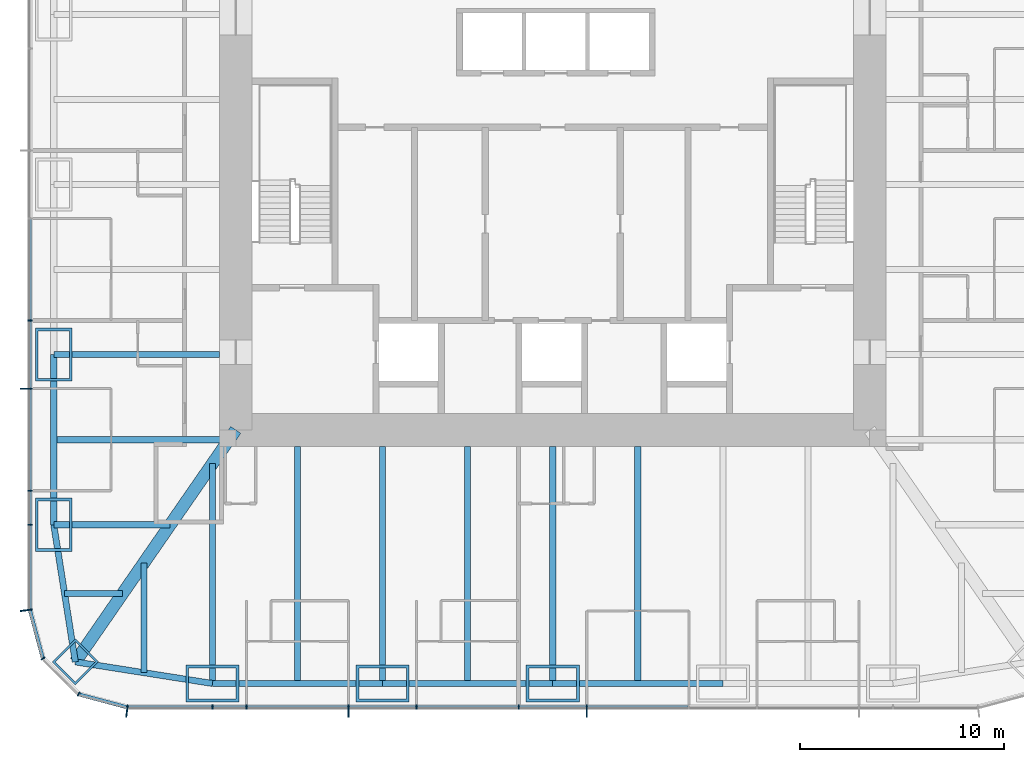
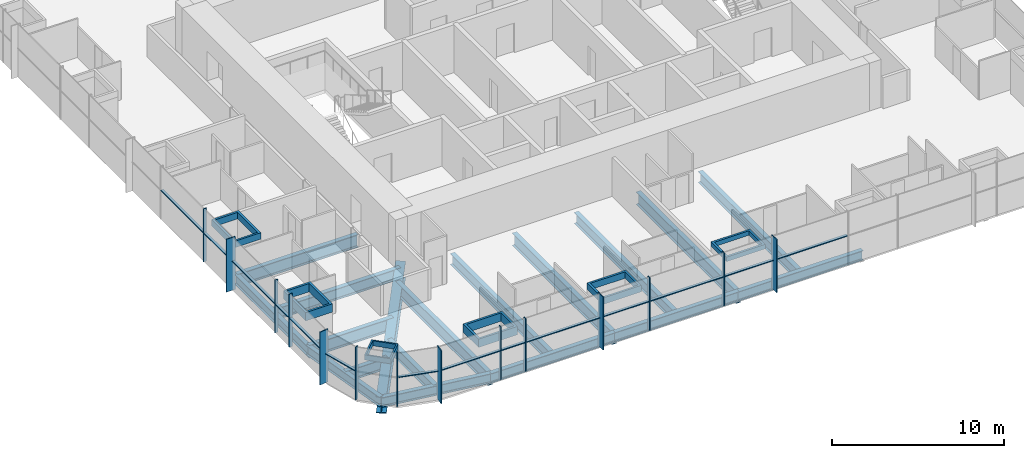
# One storey, part 2 of 13: 34 members, 18 beams, 3 elements without a shape of their own.
"""IFC4 building model written with IfcOpenShell, lengths in metres."""

from ifc_helpers import new_model, si_unit, direction, frame, origin, origin_2d, place, context, subcontext, project, spatial, rectangle, hollow_rectangle, i_section, extrude, material, material_profile, profile_set, type_object, element, aggregate, save


model = new_model("IFC4")

# Units and contexts
model_context = context("Model", 3, precision=1e-05, world=origin(), true_north=direction((0.0, 1.0)))
body_context = subcontext(model_context, "Body", "Model", "MODEL_VIEW")
ifc_project = project(units=[si_unit("LENGTHUNIT", "METRE"), si_unit("AREAUNIT", "SQUARE_METRE"), si_unit("VOLUMEUNIT", "CUBIC_METRE"), si_unit("PLANEANGLEUNIT", "RADIAN"), si_unit("MASSUNIT", "GRAM", prefix="KILO")], contexts=[model_context])

# Site, building, storey
site_placement = place(None, origin())
site = spatial("IfcSite", under=ifc_project, at=site_placement, CompositionType="ELEMENT")
building_placement = place(site_placement, origin())
building = spatial("IfcBuilding", under=site, at=building_placement, Name="Khuree Lantern Residences", CompositionType="ELEMENT")
storey_placement = place(building_placement, frame((0.0, 0.0, 274.5)))
storey = spatial("IfcBuildingStorey", under=building, at=storey_placement, Name="L69", CompositionType="ELEMENT", Elevation=274.5)

# Beams
ifc_material_1 = material(Name="Steel S355", Category="steel")
ifc_material_profile_1 = material_profile(ifc_material_1, i_section(OverallWidth=0.300048828125, OverallDepth=0.7900390625, WebThickness=0.014892578125, FlangeThickness=0.028076171875, FilletRadius=0.030029296875, at=origin_2d()), Name="HE 800 A")
ifc_profile_set_1 = profile_set([ifc_material_profile_1], Name="Steel S355")
beam_type_1 = type_object("IfcBeamType", Name="B-35A SECONDARY BEAM HE 800 A", PredefinedType="BEAM", material=ifc_profile_set_1)
for number, where, z_axis, x_axis, name in (
    (1, (4.159912109375, -24.39990234375, -0.64501953125), (0.0, 1.0, 0.0), (-1.0, 0.0, 0.0), "Secondary beam S3"),
    (2, (-4.159912109375, -24.39990234375, -0.64501953125), (0.0, 1.0, 0.0), (-1.0, 0.0, 0.0), "Secondary beam S4"),
    (3, (-12.47998046875, -24.39990234375, -0.64501953125), (0.0, 1.0, 0.0), (-1.0, 0.0, 0.0), "Secondary beam S5"),
):
    element("IfcBeam", number, at=place(storey_placement, frame(where, z_axis=z_axis, x_axis=x_axis)), inside=storey, type_object=beam_type_1, Name=name, PredefinedType="BEAM", context=body_context, shape_type="SweptSolid", body=[
        extrude(i_section(OverallWidth=0.300048828125, OverallDepth=0.7900390625, WebThickness=0.014892578125, FlangeThickness=0.028076171875, FilletRadius=0.030029296875, at=origin_2d()), origin(), (0.0, 0.0, 1.0), 11.599853515625),
    ])
beam_1_placement = place(storey_placement, frame((-19.992919921875, -23.872802734375, -0.64501953125), z_axis=(0.0, 1.0, 0.0), x_axis=(-1.0, 0.0, 0.0)))
element("IfcBeam", 4, at=beam_1_placement, inside=storey, type_object=beam_type_1, Name="Secondary beam S6", PredefinedType="BEAM", context=body_context, shape_type="SweptSolid", body=[
    extrude(i_section(OverallWidth=0.300048828125, OverallDepth=0.7900390625, WebThickness=0.014892578125, FlangeThickness=0.028076171875, FilletRadius=0.030029296875, at=origin_2d()), origin(), (0.0, 0.0, 1.0), 5.375732421875),
])
beam_2_placement = place(storey_placement, frame((-23.872802734375, -19.992919921875, -0.64501953125), z_axis=(1.0, 0.0, 0.0), x_axis=(0.0, 1.0, 0.0)))
element("IfcBeam", 5, at=beam_2_placement, inside=storey, type_object=beam_type_1, Name="Secondary beam W1", PredefinedType="BEAM", context=body_context, shape_type="SweptSolid", body=[
    extrude(i_section(OverallWidth=0.300048828125, OverallDepth=0.7900390625, WebThickness=0.014892578125, FlangeThickness=0.028076171875, FilletRadius=0.030029296875, at=origin_2d()), origin(), (0.0, 0.0, 1.0), 2.845703125),
])
beam_3_placement = place(storey_placement, frame((-24.39990234375, -12.47998046875, -0.64501953125), z_axis=(1.0, 0.0, 0.0), x_axis=(0.0, 1.0, 0.0)))
element("IfcBeam", 6, at=beam_3_placement, inside=storey, type_object=beam_type_1, Name="Secondary beam W2", PredefinedType="BEAM", context=body_context, shape_type="SweptSolid", body=[
    extrude(i_section(OverallWidth=0.300048828125, OverallDepth=0.7900390625, WebThickness=0.014892578125, FlangeThickness=0.028076171875, FilletRadius=0.030029296875, at=origin_2d()), origin(), (0.0, 0.0, 1.0), 8.56787109375),
])
ifc_material_profile_2 = material_profile(ifc_material_1, i_section(OverallWidth=0.300048828125, OverallDepth=0.68994140625, WebThickness=0.014404296875, FlangeThickness=0.027099609375, FilletRadius=0.027099609375, at=origin_2d()), Name="HE 700 A")
ifc_profile_set_2 = profile_set([ifc_material_profile_2], Name="Steel S355")
beam_type_2 = type_object("IfcBeamType", Name="E-35A SPANDREL BEAM HE 700 A", PredefinedType="SPANDREL", material=ifc_profile_set_2)
for number, where, z_axis, x_axis, name in (
    (7, (8.320068359375, -24.39990234375, -0.594970703125), (-1.0, 0.0, 0.0), (0.0, -1.0, 0.0), "Spandrel beam S3"),
    (8, (0.0, -24.39990234375, -0.594970703125), (-1.0, 0.0, 0.0), (0.0, -1.0, 0.0), "Spandrel beam S4"),
):
    element("IfcBeam", number, at=place(storey_placement, frame(where, z_axis=z_axis, x_axis=x_axis)), inside=storey, type_object=beam_type_2, Name=name, PredefinedType="SPANDREL", context=body_context, shape_type="SweptSolid", body=[
        extrude(i_section(OverallWidth=0.300048828125, OverallDepth=0.68994140625, WebThickness=0.014404296875, FlangeThickness=0.027099609375, FilletRadius=0.027099609375, at=origin_2d()), origin(), (0.0, 0.0, 1.0), 8.320068359375),
    ])
beam_4_placement = place(storey_placement, frame((-8.320068359375, -24.39990234375, -0.594970703125), z_axis=(-1.0, 0.0, 0.0), x_axis=(0.0, -1.0, 0.0)))
element("IfcBeam", 9, at=beam_4_placement, inside=storey, type_object=beam_type_2, Name="Spandrel beam S5", PredefinedType="SPANDREL", context=body_context, shape_type="SweptSolid", body=[
    extrude(i_section(OverallWidth=0.300048828125, OverallDepth=0.68994140625, WebThickness=0.014404296875, FlangeThickness=0.027099609375, FilletRadius=0.027099609375, at=origin_2d()), origin(), (0.0, 0.0, 1.0), 8.31982421875),
])
for number, where, z_axis, x_axis, name in (
    (10, (-16.639892578125, -24.39990234375, -0.594970703125), (-0.98786743189, 0.155299507442, 0.0), (-0.155299507442, -0.98786743189, 0.0), "Spandrel beam S6"),
    (11, (-23.345703125, -23.345703125, -0.594970703125), (-0.155299507442, 0.98786743189, 0.0), (-0.98786743189, -0.155299507442, 0.0), "Spandrel beam W1"),
):
    element("IfcBeam", number, at=place(storey_placement, frame(where, z_axis=z_axis, x_axis=x_axis)), inside=storey, type_object=beam_type_2, Name=name, PredefinedType="SPANDREL", context=body_context, shape_type="SweptSolid", body=[
        extrude(i_section(OverallWidth=0.300048828125, OverallDepth=0.68994140625, WebThickness=0.014404296875, FlangeThickness=0.027099609375, FilletRadius=0.027099609375, at=origin_2d()), origin(), (0.0, 0.0, 1.0), 6.7880859375),
    ])
beam_5_placement = place(storey_placement, frame((-24.39990234375, -16.639892578125, -0.594970703125), z_axis=(0.0, 1.0, 0.0), x_axis=(-1.0, 0.0, 0.0)))
element("IfcBeam", 12, at=beam_5_placement, inside=storey, type_object=beam_type_2, Name="Spandrel beam W2", PredefinedType="SPANDREL", context=body_context, shape_type="SweptSolid", body=[
    extrude(i_section(OverallWidth=0.300048828125, OverallDepth=0.68994140625, WebThickness=0.014404296875, FlangeThickness=0.027099609375, FilletRadius=0.027099609375, at=origin_2d()), origin(), (0.0, 0.0, 1.0), 8.31982421875),
])

# Curtain wall, member
ifc_material_2 = material(Name="Bronze anodised aluminium", Category="aluminium")
curtain_wall_type_1 = type_object("IfcCurtainWallType", Name="CW-T1 TOWER FACE CURTAIN WALL", PredefinedType="USERDEFINED", material=ifc_material_2)
curtain_wall_1_placement = place(storey_placement, origin())
curtain_wall_1 = element("IfcCurtainWall", 13, at=curtain_wall_1_placement, inside=storey, type_object=curtain_wall_type_1, Name="L69 WEST FACE CURTAIN WALL", ObjectType="Stick-built curtain wall", PredefinedType="USERDEFINED")
ifc_material_profile_3 = material_profile(ifc_material_2, rectangle(XDim=0.06494140625, YDim=0.60009765625, at=origin_2d()), Name="F1 65X600")
ifc_profile_set_3 = profile_set([ifc_material_profile_3], Name="Bronze anodised aluminium")
member_type_1 = type_object("IfcMemberType", Name="F1 BRONZE FIN MULLION TOWER 65X600", PredefinedType="MULLION", material=ifc_profile_set_3)
member_1_placement = place(storey_placement, frame((-25.75, -9.98388671875, 0.0), z_axis=(0.0, 0.0, 1.0), x_axis=(0.0, -1.0, 0.0)))
member_1 = element("IfcMember", 14, at=member_1_placement, type_object=member_type_1, Name="L69 WEST FACE FIN MULLION 40", PredefinedType="MULLION", context=body_context, shape_type="SweptSolid", body=[
    extrude(rectangle(XDim=0.06494140625, YDim=0.60009765625, at=origin_2d()), origin(), (0.0, 0.0, 1.0), 3.75),
])

curtain_wall_type_2 = type_object("IfcCurtainWallType", Name="CW-T2 TOWER CORNER CURTAIN WALL", PredefinedType="USERDEFINED", material=ifc_material_2)
curtain_wall_2_placement = place(storey_placement, origin())
curtain_wall_2 = element("IfcCurtainWall", 15, at=curtain_wall_2_placement, inside=storey, type_object=curtain_wall_type_2, Name="L69 SOUTH-WEST CORNER CURTAIN WALL", ObjectType="Faceted corner curtain wall", PredefinedType="USERDEFINED")
member_2_placement = place(storey_placement, frame((-25.75, -20.81982421875, 0.0), z_axis=(0.0, 0.0, 1.0), x_axis=(0.130526180298, -0.991444862943, 0.0)))
member_2 = element("IfcMember", 16, at=member_2_placement, type_object=member_type_1, Name="L69 SOUTH-WEST CORNER FIN MULLION 43", PredefinedType="MULLION", context=body_context, shape_type="SweptSolid", body=[
    extrude(rectangle(XDim=0.06494140625, YDim=0.60009765625, at=origin_2d()), origin(), (0.0, 0.0, 1.0), 3.75),
])

# Curtain wall, members
curtain_wall_3_placement = place(storey_placement, origin())
curtain_wall_3 = element("IfcCurtainWall", 17, at=curtain_wall_3_placement, inside=storey, type_object=curtain_wall_type_1, Name="L69 SOUTH FACE CURTAIN WALL", ObjectType="Stick-built curtain wall", PredefinedType="USERDEFINED")
member_3_placement = place(storey_placement, frame((-20.81982421875, -25.75, 0.0), z_axis=(0.0, 0.0, 1.0), x_axis=(0.991444862943, -0.130526180298, 0.0)))
member_3 = element("IfcMember", 18, at=member_3_placement, type_object=member_type_1, Name="L69 SOUTH FACE FIN MULLION 46", PredefinedType="MULLION", context=body_context, shape_type="SweptSolid", body=[
    extrude(rectangle(XDim=0.06494140625, YDim=0.60009765625, at=origin_2d()), origin(), (0.0, 0.0, 1.0), 3.75),
])
member_4_placement = place(storey_placement, frame((-9.98388671875, -25.75, 0.0), z_axis=(0.0, 0.0, 1.0), x_axis=(1.0, 0.0, 0.0)))
member_4 = element("IfcMember", 19, at=member_4_placement, type_object=member_type_1, Name="L69 SOUTH FACE FIN MULLION 49", PredefinedType="MULLION", context=body_context, shape_type="SweptSolid", body=[
    extrude(rectangle(XDim=0.06494140625, YDim=0.60009765625, at=origin_2d()), origin(), (0.0, 0.0, 1.0), 3.75),
])
member_5_placement = place(storey_placement, frame((1.6640625, -25.75, 0.0), z_axis=(0.0, 0.0, 1.0), x_axis=(1.0, 0.0, 0.0)))
member_5 = element("IfcMember", 20, at=member_5_placement, type_object=member_type_1, Name="L69 SOUTH FACE FIN MULLION 52", PredefinedType="MULLION", context=body_context, shape_type="SweptSolid", body=[
    extrude(rectangle(XDim=0.06494140625, YDim=0.60009765625, at=origin_2d()), origin(), (0.0, 0.0, 1.0), 3.75),
])

# Beams
ifc_material_profile_4 = material_profile(ifc_material_1, i_section(OverallWidth=0.300048828125, OverallDepth=0.89990234375, WebThickness=0.0185546875, FlangeThickness=0.034912109375, FilletRadius=0.030029296875, at=origin_2d()), Name="HE 900 B")
ifc_profile_set_4 = profile_set([ifc_material_profile_4], Name="Steel S355")
beam_type_3 = type_object("IfcBeamType", Name="G-35 GIRDER HE 900 B", PredefinedType="BEAM", material=ifc_profile_set_4)
for number, where, z_axis, x_axis, name in (
    (21, (0.0, -24.39990234375, -0.699951171875), (0.0, 1.0, 0.0), (-1.0, 0.0, 0.0), "Girder S3"),
    (22, (-8.320068359375, -24.39990234375, -0.699951171875), (0.0, 1.0, 0.0), (-1.0, 0.0, 0.0), "Girder S4"),
):
    element("IfcBeam", number, at=place(storey_placement, frame(where, z_axis=z_axis, x_axis=x_axis)), inside=storey, type_object=beam_type_3, Name=name, PredefinedType="BEAM", context=body_context, shape_type="SweptSolid", body=[
        extrude(i_section(OverallWidth=0.300048828125, OverallDepth=0.89990234375, WebThickness=0.0185546875, FlangeThickness=0.034912109375, FilletRadius=0.030029296875, at=origin_2d()), origin(), (0.0, 0.0, 1.0), 11.599853515625),
    ])
beam_6_placement = place(storey_placement, frame((-16.639892578125, -24.39990234375, -0.699951171875), z_axis=(0.0, 1.0, 0.0), x_axis=(-1.0, 0.0, 0.0)))
element("IfcBeam", 23, at=beam_6_placement, inside=storey, type_object=beam_type_3, Name="Girder S5", PredefinedType="BEAM", context=body_context, shape_type="SweptSolid", body=[
    extrude(i_section(OverallWidth=0.300048828125, OverallDepth=0.89990234375, WebThickness=0.0185546875, FlangeThickness=0.034912109375, FilletRadius=0.030029296875, at=origin_2d()), origin(), (0.0, 0.0, 1.0), 10.751220703125),
])
beam_7_placement = place(storey_placement, frame((-24.39990234375, -16.639892578125, -0.699951171875), z_axis=(1.0, 0.0, 0.0), x_axis=(0.0, 1.0, 0.0)))
element("IfcBeam", 24, at=beam_7_placement, inside=storey, type_object=beam_type_3, Name="Girder W1", PredefinedType="BEAM", context=body_context, shape_type="SweptSolid", body=[
    extrude(i_section(OverallWidth=0.300048828125, OverallDepth=0.89990234375, WebThickness=0.0185546875, FlangeThickness=0.034912109375, FilletRadius=0.030029296875, at=origin_2d()), origin(), (0.0, 0.0, 1.0), 5.69140625),
])
beam_8_placement = place(storey_placement, frame((-24.39990234375, -8.320068359375, -0.699951171875), z_axis=(1.0, 0.0, 0.0), x_axis=(0.0, 1.0, 0.0)))
element("IfcBeam", 25, at=beam_8_placement, inside=storey, type_object=beam_type_3, Name="Girder W2", PredefinedType="BEAM", context=body_context, shape_type="SweptSolid", body=[
    extrude(i_section(OverallWidth=0.300048828125, OverallDepth=0.89990234375, WebThickness=0.0185546875, FlangeThickness=0.034912109375, FilletRadius=0.030029296875, at=origin_2d()), origin(), (0.0, 0.0, 1.0), 8.099853515625),
])
ifc_material_profile_5 = material_profile(ifc_material_1, i_section(OverallWidth=0.60009765625, OverallDepth=1.199951171875, WebThickness=0.030029296875, FlangeThickness=0.06005859375, at=origin_2d()), Name="WELDED I 1200X600X30X60")
ifc_profile_set_5 = profile_set([ifc_material_profile_5], Name="Steel S355")
beam_type_4 = type_object("IfcBeamType", Name="GD-35A CORNER GIRDER WELDED I 1200X600X30X60", PredefinedType="BEAM", material=ifc_profile_set_5)
beam_9_placement = place(storey_placement, frame((-23.345703125, -23.345703125, -0.85009765625), z_axis=(0.56876813501, 0.822497907959, 0.0), x_axis=(-0.822497907959, 0.56876813501, 0.0)))
element("IfcBeam", 26, at=beam_9_placement, inside=storey, type_object=beam_type_4, Name="Corner girder SW", PredefinedType="BEAM", context=body_context, shape_type="SweptSolid", body=[
    extrude(i_section(OverallWidth=0.60009765625, OverallDepth=1.199951171875, WebThickness=0.030029296875, FlangeThickness=0.06005859375, at=origin_2d()), origin(), (0.0, 0.0, 1.0), 13.794189453125),
])

# Member
ifc_material_profile_6 = material_profile(ifc_material_2, rectangle(XDim=0.06494140625, YDim=0.219970703125, at=origin_2d()), Name="M1 65X220")
ifc_profile_set_6 = profile_set([ifc_material_profile_6], Name="Bronze anodised aluminium")
member_type_2 = type_object("IfcMemberType", Name="M1 BRONZE MULLION TOWER 65X220", PredefinedType="MULLION", material=ifc_profile_set_6)
member_6_placement = place(storey_placement, frame((-25.56005859375, -6.656005859375, 0.0), z_axis=(0.0, 0.0, 1.0), x_axis=(0.0, -1.0, 0.0)))
member_6 = element("IfcMember", 27, at=member_6_placement, type_object=member_type_2, Name="L69 WEST FACE MULLION 39", PredefinedType="MULLION", context=body_context, shape_type="SweptSolid", body=[
    extrude(rectangle(XDim=0.06494140625, YDim=0.219970703125, at=origin_2d()), origin(), (0.0, 0.0, 1.0), 3.75),
])

member_7_placement = place(storey_placement, frame((-25.56005859375, -14.97607421875, 0.0), z_axis=(0.0, 0.0, 1.0), x_axis=(0.0, -1.0, 0.0)))
member_7 = element("IfcMember", 28, at=member_7_placement, type_object=member_type_2, Name="L69 WEST FACE MULLION 41", PredefinedType="MULLION", context=body_context, shape_type="SweptSolid", body=[
    extrude(rectangle(XDim=0.06494140625, YDim=0.219970703125, at=origin_2d()), origin(), (0.0, 0.0, 1.0), 3.75),
])

member_8_placement = place(storey_placement, frame((-25.56005859375, -16.639892578125, 0.0), z_axis=(0.0, 0.0, 1.0), x_axis=(0.0, -1.0, 0.0)))
member_8 = element("IfcMember", 29, at=member_8_placement, type_object=member_type_2, Name="L69 WEST FACE MULLION 42", PredefinedType="MULLION", context=body_context, shape_type="SweptSolid", body=[
    extrude(rectangle(XDim=0.06494140625, YDim=0.219970703125, at=origin_2d()), origin(), (0.0, 0.0, 1.0), 3.75),
])

member_9_placement = place(storey_placement, frame((-24.92236328125, -23.179931640625, 0.0), z_axis=(0.0, 0.0, 1.0), x_axis=(0.499999989586, -0.866025409797, 0.0)))
member_9 = element("IfcMember", 30, at=member_9_placement, type_object=member_type_2, Name="L69 SOUTH-WEST CORNER MULLION 44", PredefinedType="MULLION", context=body_context, shape_type="SweptSolid", body=[
    extrude(rectangle(XDim=0.06494140625, YDim=0.219970703125, at=origin_2d()), origin(), (0.0, 0.0, 1.0), 3.75),
])

member_10_placement = place(storey_placement, frame((-23.179931640625, -24.92236328125, 0.0), z_axis=(0.0, 0.0, 1.0), x_axis=(0.866025409797, -0.499999989586, 0.0)))
member_10 = element("IfcMember", 31, at=member_10_placement, type_object=member_type_2, Name="L69 SOUTH-WEST CORNER MULLION 45", PredefinedType="MULLION", context=body_context, shape_type="SweptSolid", body=[
    extrude(rectangle(XDim=0.06494140625, YDim=0.219970703125, at=origin_2d()), origin(), (0.0, 0.0, 1.0), 3.75),
])

member_11_placement = place(storey_placement, frame((-16.639892578125, -25.56005859375, 0.0), z_axis=(0.0, 0.0, 1.0), x_axis=(1.0, 0.0, 0.0)))
member_11 = element("IfcMember", 32, at=member_11_placement, type_object=member_type_2, Name="L69 SOUTH FACE MULLION 47", PredefinedType="MULLION", context=body_context, shape_type="SweptSolid", body=[
    extrude(rectangle(XDim=0.06494140625, YDim=0.219970703125, at=origin_2d()), origin(), (0.0, 0.0, 1.0), 3.75),
])

member_12_placement = place(storey_placement, frame((-14.97607421875, -25.56005859375, 0.0), z_axis=(0.0, 0.0, 1.0), x_axis=(1.0, 0.0, 0.0)))
member_12 = element("IfcMember", 33, at=member_12_placement, type_object=member_type_2, Name="L69 SOUTH FACE MULLION 48", PredefinedType="MULLION", context=body_context, shape_type="SweptSolid", body=[
    extrude(rectangle(XDim=0.06494140625, YDim=0.219970703125, at=origin_2d()), origin(), (0.0, 0.0, 1.0), 3.75),
])

member_13_placement = place(storey_placement, frame((-6.656005859375, -25.56005859375, 0.0), z_axis=(0.0, 0.0, 1.0), x_axis=(1.0, 0.0, 0.0)))
member_13 = element("IfcMember", 34, at=member_13_placement, type_object=member_type_2, Name="L69 SOUTH FACE MULLION 50", PredefinedType="MULLION", context=body_context, shape_type="SweptSolid", body=[
    extrude(rectangle(XDim=0.06494140625, YDim=0.219970703125, at=origin_2d()), origin(), (0.0, 0.0, 1.0), 3.75),
])

member_14_placement = place(storey_placement, frame((-1.6640625, -25.56005859375, 0.0), z_axis=(0.0, 0.0, 1.0), x_axis=(1.0, 0.0, 0.0)))
member_14 = element("IfcMember", 35, at=member_14_placement, type_object=member_type_2, Name="L69 SOUTH FACE MULLION 51", PredefinedType="MULLION", context=body_context, shape_type="SweptSolid", body=[
    extrude(rectangle(XDim=0.06494140625, YDim=0.219970703125, at=origin_2d()), origin(), (0.0, 0.0, 1.0), 3.75),
])

# Members
ifc_material_3 = material(Name="Steel S355 CFT welded box", Category="steel")
ifc_material_profile_7 = material_profile(ifc_material_3, hollow_rectangle(XDim=1.60009765625, YDim=1.60009765625, WallThickness=0.10009765625, at=origin_2d()), Name="WELDED BOX 1600X1600X100")
ifc_profile_set_7 = profile_set([ifc_material_profile_7], Name="Steel S355 CFT welded box")
member_type_3 = type_object("IfcMemberType", Name="MNA MEGA COLUMN NODE WELDED BOX 1600X1600X100", PredefinedType="MEMBER", material=ifc_profile_set_7)
member_15_placement = place(storey_placement, frame((-23.345703125, -23.345703125, 2.739990234375), z_axis=(0.0, 0.0, 1.0), x_axis=(0.707106781187, -0.707106781187, 0.0)))
element("IfcMember", 36, at=member_15_placement, inside=storey, type_object=member_type_3, Name="Mega column node SW", PredefinedType="MEMBER", context=body_context, shape_type="SweptSolid", body=[
    extrude(hollow_rectangle(XDim=1.60009765625, YDim=1.60009765625, WallThickness=0.10009765625, at=origin_2d()), origin(), (0.0, 0.0, 1.0), 0.360107421875),
])
ifc_material_profile_8 = material_profile(ifc_material_3, hollow_rectangle(XDim=2.60009765625, YDim=1.800048828125, WallThickness=0.139892578125, at=origin_2d()), Name="WELDED BOX 2600X1800X140")
ifc_profile_set_8 = profile_set([ifc_material_profile_8], Name="Steel S355 CFT welded box")
member_type_4 = type_object("IfcMemberType", Name="MNB MEGA COLUMN NODE WELDED BOX 2600X1800X140", PredefinedType="MEMBER", material=ifc_profile_set_8)
member_16_placement = place(storey_placement, frame((0.0, -24.39990234375, 2.780029296875), z_axis=(0.0, 0.0, 1.0), x_axis=(1.0, 0.0, 0.0)))
element("IfcMember", 37, at=member_16_placement, inside=storey, type_object=member_type_4, Name="Mega column node S3", PredefinedType="MEMBER", context=body_context, shape_type="SweptSolid", body=[
    extrude(hollow_rectangle(XDim=2.60009765625, YDim=1.800048828125, WallThickness=0.139892578125, at=origin_2d()), origin(), (0.0, 0.0, 1.0), 0.320068359375),
])
member_17_placement = place(storey_placement, frame((-8.320068359375, -24.39990234375, 2.639892578125), z_axis=(0.0, 0.0, 1.0), x_axis=(1.0, 0.0, 0.0)))
element("IfcMember", 38, at=member_17_placement, inside=storey, type_object=member_type_4, Name="Mega column node S4", PredefinedType="MEMBER", context=body_context, shape_type="SweptSolid", body=[
    extrude(hollow_rectangle(XDim=2.60009765625, YDim=1.800048828125, WallThickness=0.139892578125, at=origin_2d()), origin(), (0.0, 0.0, 1.0), 0.460205078125),
])
for number, where, z_axis, x_axis, name in (
    (39, (-16.639892578125, -24.39990234375, 2.510009765625), (0.0, 0.0, 1.0), (1.0, 0.0, 0.0), "Mega column node S5"),
    (40, (-24.39990234375, -16.639892578125, 2.510009765625), (0.0, 0.0, 1.0), (0.0, 1.0, 0.0), "Mega column node W1"),
):
    element("IfcMember", number, at=place(storey_placement, frame(where, z_axis=z_axis, x_axis=x_axis)), inside=storey, type_object=member_type_4, Name=name, PredefinedType="MEMBER", context=body_context, shape_type="SweptSolid", body=[
        extrude(hollow_rectangle(XDim=2.60009765625, YDim=1.800048828125, WallThickness=0.139892578125, at=origin_2d()), origin(), (0.0, 0.0, 1.0), 0.590087890625),
    ])
member_18_placement = place(storey_placement, frame((-24.39990234375, -8.320068359375, 2.639892578125), z_axis=(0.0, 0.0, 1.0), x_axis=(0.0, 1.0, 0.0)))
element("IfcMember", 41, at=member_18_placement, inside=storey, type_object=member_type_4, Name="Mega column node W2", PredefinedType="MEMBER", context=body_context, shape_type="SweptSolid", body=[
    extrude(hollow_rectangle(XDim=2.60009765625, YDim=1.800048828125, WallThickness=0.139892578125, at=origin_2d()), origin(), (0.0, 0.0, 1.0), 0.460205078125),
])

# Member
ifc_material_profile_9 = material_profile(ifc_material_2, rectangle(XDim=0.179931640625, YDim=0.06494140625, at=origin_2d()), Name="T1 180X65")
ifc_profile_set_9 = profile_set([ifc_material_profile_9], Name="Bronze anodised aluminium")
member_type_5 = type_object("IfcMemberType", Name="TRANSOM T1 TOWER 180X65", PredefinedType="USERDEFINED", material=ifc_profile_set_9)
member_19_placement = place(storey_placement, frame((-25.570068359375, -1.696533203125, 2.050048828125), z_axis=(0.0, -1.0, 0.0), x_axis=(1.0, 0.0, 0.0)))
member_19 = element("IfcMember", 42, at=member_19_placement, type_object=member_type_5, Name="L69 WEST FACE TRANSOM 38.1", ObjectType="Transom", PredefinedType="USERDEFINED", context=body_context, shape_type="SweptSolid", body=[
    extrude(rectangle(XDim=0.179931640625, YDim=0.06494140625, at=origin_2d()), origin(), (0.0, 0.0, 1.0), 4.927001953125),
])

member_20_placement = place(storey_placement, frame((-25.570068359375, -6.6884765625, 2.050048828125), z_axis=(0.0, -1.0, 0.0), x_axis=(1.0, 0.0, 0.0)))
member_20 = element("IfcMember", 43, at=member_20_placement, type_object=member_type_5, Name="L69 WEST FACE TRANSOM 39.1", ObjectType="Transom", PredefinedType="USERDEFINED", context=body_context, shape_type="SweptSolid", body=[
    extrude(rectangle(XDim=0.179931640625, YDim=0.06494140625, at=origin_2d()), origin(), (0.0, 0.0, 1.0), 3.262939453125),
])

member_21_placement = place(storey_placement, frame((-25.570068359375, -10.0166015625, 2.050048828125), z_axis=(0.0, -1.0, 0.0), x_axis=(1.0, 0.0, 0.0)))
member_21 = element("IfcMember", 44, at=member_21_placement, type_object=member_type_5, Name="L69 WEST FACE TRANSOM 40.1", ObjectType="Transom", PredefinedType="USERDEFINED", context=body_context, shape_type="SweptSolid", body=[
    extrude(rectangle(XDim=0.179931640625, YDim=0.06494140625, at=origin_2d()), origin(), (0.0, 0.0, 1.0), 4.927001953125),
])

member_22_placement = place(storey_placement, frame((-25.570068359375, -15.008544921875, 2.050048828125), z_axis=(0.0, -1.0, 0.0), x_axis=(1.0, 0.0, 0.0)))
member_22 = element("IfcMember", 45, at=member_22_placement, type_object=member_type_5, Name="L69 WEST FACE TRANSOM 41.1", ObjectType="Transom", PredefinedType="USERDEFINED", context=body_context, shape_type="SweptSolid", body=[
    extrude(rectangle(XDim=0.179931640625, YDim=0.06494140625, at=origin_2d()), origin(), (0.0, 0.0, 1.0), 1.598876953125),
])

member_23_placement = place(storey_placement, frame((-25.570068359375, -16.672607421875, 2.050048828125), z_axis=(0.0, -1.0, 0.0), x_axis=(1.0, 0.0, 0.0)))
member_23 = element("IfcMember", 46, at=member_23_placement, type_object=member_type_5, Name="L69 WEST FACE TRANSOM 42.1", ObjectType="Transom", PredefinedType="USERDEFINED", context=body_context, shape_type="SweptSolid", body=[
    extrude(rectangle(XDim=0.179931640625, YDim=0.06494140625, at=origin_2d()), origin(), (0.0, 0.0, 1.0), 4.078857421875),
])

aggregate(curtain_wall_1, [member_6, member_1, member_7, member_8, member_19, member_20, member_21, member_22, member_23])

member_24_placement = place(storey_placement, frame((-25.558349609375, -20.839111328125, 2.050048828125), z_axis=(0.258739517581, -0.965947132115, 0.0), x_axis=(0.965947132115, 0.258739517581, 0.0)))
member_24 = element("IfcMember", 47, at=member_24_placement, type_object=member_type_5, Name="L69 SOUTH-WEST CORNER TRANSOM 43.1", ObjectType="Transom", PredefinedType="USERDEFINED", context=body_context, shape_type="SweptSolid", body=[
    extrude(rectangle(XDim=0.179931640625, YDim=0.06494140625, at=origin_2d()), origin(), (0.0, 0.0, 1.0), 2.370361328125),
])

member_25_placement = place(storey_placement, frame((-23.128662109375, -24.945068359375, 2.050048828125), z_axis=(0.965947132115, -0.258739517581, 0.0), x_axis=(0.258739517581, 0.965947132115, 0.0)))
member_25 = element("IfcMember", 48, at=member_25_placement, type_object=member_type_5, Name="L69 SOUTH-WEST CORNER TRANSOM 45.1", ObjectType="Transom", PredefinedType="USERDEFINED", context=body_context, shape_type="SweptSolid", body=[
    extrude(rectangle(XDim=0.179931640625, YDim=0.06494140625, at=origin_2d()), origin(), (0.0, 0.0, 1.0), 2.370361328125),
])

aggregate(curtain_wall_2, [member_2, member_9, member_10, member_24, member_25])

member_26_placement = place(storey_placement, frame((-20.75146484375, -25.570068359375, 2.050048828125), z_axis=(1.0, 0.0, 0.0), x_axis=(0.0, 1.0, 0.0)))
member_26 = element("IfcMember", 49, at=member_26_placement, type_object=member_type_5, Name="L69 SOUTH FACE TRANSOM 46.1", ObjectType="Transom", PredefinedType="USERDEFINED", context=body_context, shape_type="SweptSolid", body=[
    extrude(rectangle(XDim=0.179931640625, YDim=0.06494140625, at=origin_2d()), origin(), (0.0, 0.0, 1.0), 4.078857421875),
])

member_27_placement = place(storey_placement, frame((-16.607421875, -25.570068359375, 2.050048828125), z_axis=(1.0, 0.0, 0.0), x_axis=(0.0, 1.0, 0.0)))
member_27 = element("IfcMember", 50, at=member_27_placement, type_object=member_type_5, Name="L69 SOUTH FACE TRANSOM 47.1", ObjectType="Transom", PredefinedType="USERDEFINED", context=body_context, shape_type="SweptSolid", body=[
    extrude(rectangle(XDim=0.179931640625, YDim=0.06494140625, at=origin_2d()), origin(), (0.0, 0.0, 1.0), 1.598876953125),
])

member_28_placement = place(storey_placement, frame((-14.943603515625, -25.570068359375, 2.050048828125), z_axis=(1.0, 0.0, 0.0), x_axis=(0.0, 1.0, 0.0)))
member_28 = element("IfcMember", 51, at=member_28_placement, type_object=member_type_5, Name="L69 SOUTH FACE TRANSOM 48.1", ObjectType="Transom", PredefinedType="USERDEFINED", context=body_context, shape_type="SweptSolid", body=[
    extrude(rectangle(XDim=0.179931640625, YDim=0.06494140625, at=origin_2d()), origin(), (0.0, 0.0, 1.0), 4.927001953125),
])

member_29_placement = place(storey_placement, frame((-9.951416015625, -25.570068359375, 2.050048828125), z_axis=(1.0, 0.0, 0.0), x_axis=(0.0, 1.0, 0.0)))
member_29 = element("IfcMember", 52, at=member_29_placement, type_object=member_type_5, Name="L69 SOUTH FACE TRANSOM 49.1", ObjectType="Transom", PredefinedType="USERDEFINED", context=body_context, shape_type="SweptSolid", body=[
    extrude(rectangle(XDim=0.179931640625, YDim=0.06494140625, at=origin_2d()), origin(), (0.0, 0.0, 1.0), 3.262939453125),
])

member_30_placement = place(storey_placement, frame((-6.62353515625, -25.570068359375, 2.050048828125), z_axis=(1.0, 0.0, 0.0), x_axis=(0.0, 1.0, 0.0)))
member_30 = element("IfcMember", 53, at=member_30_placement, type_object=member_type_5, Name="L69 SOUTH FACE TRANSOM 50.1", ObjectType="Transom", PredefinedType="USERDEFINED", context=body_context, shape_type="SweptSolid", body=[
    extrude(rectangle(XDim=0.179931640625, YDim=0.06494140625, at=origin_2d()), origin(), (0.0, 0.0, 1.0), 4.927001953125),
])

member_31_placement = place(storey_placement, frame((-1.631591796875, -25.570068359375, 2.050048828125), z_axis=(1.0, 0.0, 0.0), x_axis=(0.0, 1.0, 0.0)))
member_31 = element("IfcMember", 54, at=member_31_placement, type_object=member_type_5, Name="L69 SOUTH FACE TRANSOM 51.1", ObjectType="Transom", PredefinedType="USERDEFINED", context=body_context, shape_type="SweptSolid", body=[
    extrude(rectangle(XDim=0.179931640625, YDim=0.06494140625, at=origin_2d()), origin(), (0.0, 0.0, 1.0), 3.26318359375),
])

member_32_placement = place(storey_placement, frame((1.696533203125, -25.570068359375, 2.050048828125), z_axis=(1.0, 0.0, 0.0), x_axis=(0.0, 1.0, 0.0)))
member_32 = element("IfcMember", 55, at=member_32_placement, type_object=member_type_5, Name="L69 SOUTH FACE TRANSOM 52.1", ObjectType="Transom", PredefinedType="USERDEFINED", context=body_context, shape_type="SweptSolid", body=[
    extrude(rectangle(XDim=0.179931640625, YDim=0.06494140625, at=origin_2d()), origin(), (0.0, 0.0, 1.0), 4.927001953125),
])

aggregate(curtain_wall_3, [member_3, member_11, member_12, member_4, member_13, member_14, member_5, member_26, member_27, member_28, member_29, member_30, member_31, member_32])

save(model, "model.ifc")
